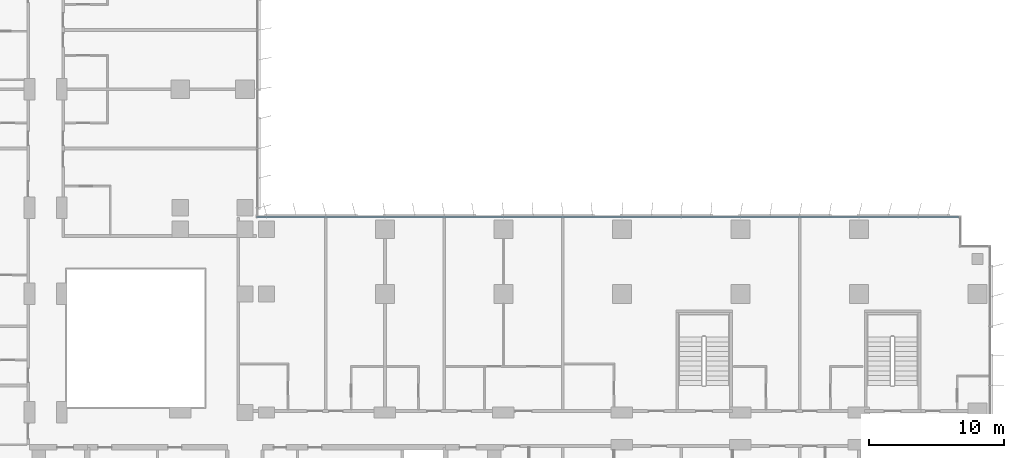
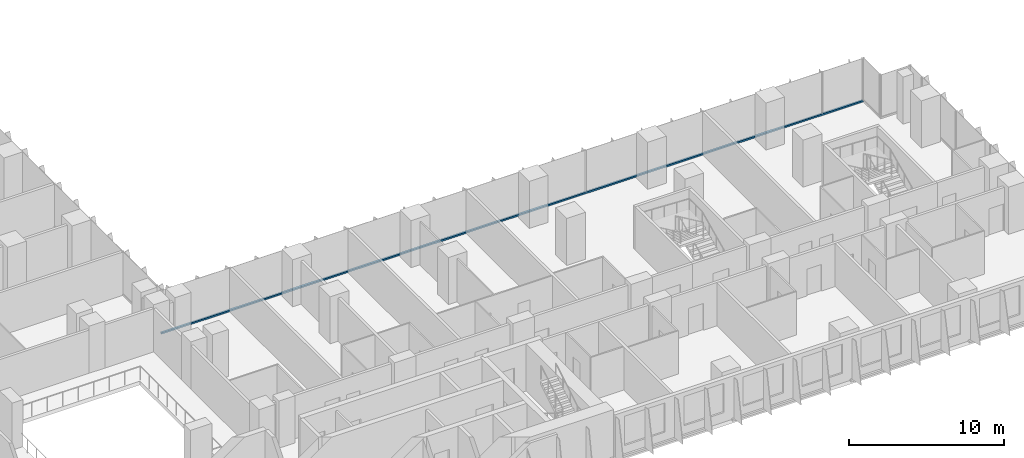
# One storey, part 3 of 24: 1 member, 1 element without a shape of its own.
"""IFC4 building model written with IfcOpenShell, lengths in metres."""

from ifc_helpers import new_model, si_unit, direction, frame, origin, origin_2d, place, context, subcontext, project, spatial, rectangle, extrude, material, material_profile, profile_set, type_object, element, aggregate, save


model = new_model("IFC4")

# Units and contexts
model_context = context("Model", 3, precision=1e-05, world=origin(), true_north=direction((0.0, 1.0)))
body_context = subcontext(model_context, "Body", "Model", "MODEL_VIEW")
ifc_project = project(units=[si_unit("LENGTHUNIT", "METRE"), si_unit("AREAUNIT", "SQUARE_METRE"), si_unit("VOLUMEUNIT", "CUBIC_METRE"), si_unit("PLANEANGLEUNIT", "RADIAN"), si_unit("MASSUNIT", "GRAM", prefix="KILO")], contexts=[model_context])

# Site, building, storey
site_placement = place(None, origin())
site = spatial("IfcSite", under=ifc_project, at=site_placement, CompositionType="ELEMENT")
building_placement = place(site_placement, origin())
building = spatial("IfcBuilding", under=site, at=building_placement, Name="Kemantara Hotel Tower", CompositionType="ELEMENT")
storey_placement = place(building_placement, frame((0.0, 0.0, 56.199951171875)))
storey = spatial("IfcBuildingStorey", under=building, at=storey_placement, Name="L12", CompositionType="ELEMENT", Elevation=56.199951171875)

# Curtain wall, member
ifc_material_1 = material(Name="Low-E tinted double insulated glass 36 mm", Category="glass")
curtain_wall_type = type_object("IfcCurtainWallType", Name="TOWER CURTAIN WALL, FRONT FACES", PredefinedType="USERDEFINED", material=ifc_material_1)
curtain_wall_placement = place(storey_placement, origin())
curtain_wall = element("IfcCurtainWall", 1, at=curtain_wall_placement, inside=storey, type_object=curtain_wall_type, Name="CW4 L12 T1-R07-1", ObjectType="TOWER CURTAIN WALL, FRONT FACES", PredefinedType="USERDEFINED")
ifc_material_2 = material(Name="Aluminium 6063-T6 bronze anodised", Category="aluminium")
ifc_material_profile = material_profile(ifc_material_2, rectangle(XDim=0.14990234375, YDim=0.1201171875, at=origin_2d()), Name="TOWER CURTAIN WALL, FRONT FACES TRANSOM")
ifc_profile_set = profile_set([ifc_material_profile], Name="Aluminium 6063-T6 bronze anodised")
member_type = type_object("IfcMemberType", Name="TOWER CURTAIN WALL, FRONT FACES TRANSOM", PredefinedType="USERDEFINED", material=ifc_profile_set)
member_placement = place(storey_placement, frame((78.85009765625, 26.72509765625, 0.06005859375), z_axis=(-1.0, 0.0, 0.0), x_axis=(0.0, -1.0, 0.0)))
member = element("IfcMember", 2, at=member_placement, type_object=member_type, Name="CW4 sill transom T1-R07-1", ObjectType="TRANSOM", PredefinedType="USERDEFINED", context=body_context, shape_type="SweptSolid", body=[
    extrude(rectangle(XDim=0.14990234375, YDim=0.1201171875, at=origin_2d()), origin(), (0.0, 0.0, 1.0), 52.2001953125),
])
aggregate(curtain_wall, [member])

save(model, "model.ifc")
